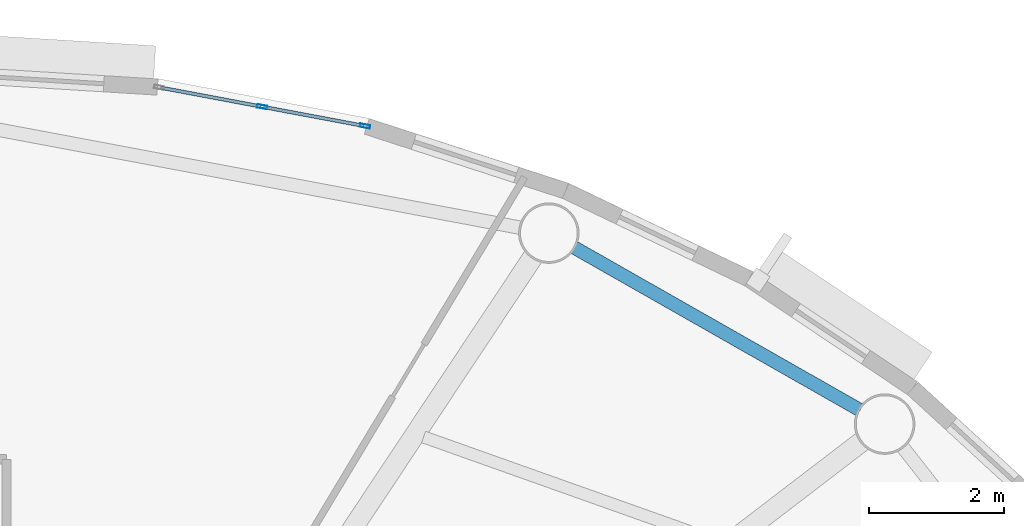
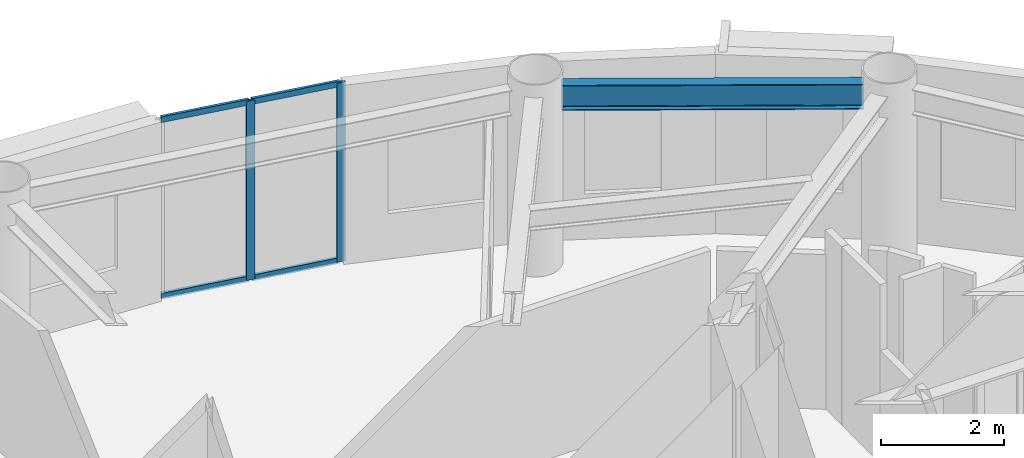
# One storey, part 3 of 19: 6 members, 1 beam, 1 element without a shape of its own.
"""IFC4 building model written with IfcOpenShell, lengths in metres."""

from ifc_helpers import new_model, si_unit, direction, frame, origin, origin_2d, place, context, subcontext, project, spatial, hollow_rectangle, i_section, extrude, source, transform, mapped, material, layer, layer_set, material_profile, profile_set, type_object, element, aggregate, save


model = new_model("IFC4")

# Units and contexts
model_context = context("Model", 3, precision=1e-05, world=origin(), true_north=direction((0.0, 1.0)))
body_context = subcontext(model_context, "Body", "Model", "MODEL_VIEW")
ifc_project = project(units=[si_unit("LENGTHUNIT", "METRE"), si_unit("AREAUNIT", "SQUARE_METRE"), si_unit("VOLUMEUNIT", "CUBIC_METRE"), si_unit("PLANEANGLEUNIT", "RADIAN"), si_unit("MASSUNIT", "GRAM", prefix="KILO")], contexts=[model_context])

# Site, building, storey
site_placement = place(None, origin())
site = spatial("IfcSite", under=ifc_project, at=site_placement, CompositionType="ELEMENT")
building_placement = place(site_placement, origin())
building = spatial("IfcBuilding", under=site, at=building_placement, Name="Linh Dai School and Residence Tower", CompositionType="ELEMENT")
storey_placement = place(building_placement, frame((0.0, 0.0, 339.199951171875)))
storey = spatial("IfcBuildingStorey", under=building, at=storey_placement, Name="L84", CompositionType="ELEMENT", Elevation=339.199951171875)

# Beam
ifc_material_1 = material(Name="Structural Steel S355JR", Category="steel")
ifc_material_profile_1 = material_profile(ifc_material_1, i_section(OverallWidth=0.199951171875, OverallDepth=0.5, WebThickness=0.01025390625, FlangeThickness=0.01611328125, FilletRadius=0.02099609375, at=origin_2d()), Name="IPE 500")
ifc_profile_set_1 = profile_set([ifc_material_profile_1], Name="Structural Steel S355JR")
beam_type = type_object("IfcBeamType", Name="BM-RB50", PredefinedType="BEAM", material=ifc_profile_set_1)
beam_placement = place(storey_placement, frame((49.637451171875, 37.930419921875, 3.300048828125), z_axis=(-0.86923725405, 0.494395182189, 0.0), x_axis=(-0.494395182189, -0.86923725405, 0.0)))
element("IfcBeam", 1, at=beam_placement, inside=storey, type_object=beam_type, Name="L84 Perimeter Elliptical Ring Beam 03", PredefinedType="BEAM", context=body_context, shape_type="SweptSolid", body=[
    extrude(i_section(OverallWidth=0.199951171875, OverallDepth=0.5, WebThickness=0.01025390625, FlangeThickness=0.01611328125, FilletRadius=0.02099609375, at=origin_2d()), origin(), (0.0, 0.0, 1.0), 4.903076171875),
])

# Curtain wall, members
ifc_material_2 = material(Name="Aluminium Anodised Curtain Wall", Category="aluminium")
ifc_layer = layer(ifc_material_2, 0.14990234375)
ifc_layer_set = layer_set([ifc_layer], Name="Aluminium Anodised Curtain Wall")
curtain_wall_type = type_object("IfcCurtainWallType", Name="CW-SYS-4", PredefinedType="USERDEFINED", material=ifc_layer_set)
curtain_wall_placement = place(storey_placement, origin())
curtain_wall = element("IfcCurtainWall", 2, at=curtain_wall_placement, inside=storey, type_object=curtain_wall_type, Name="L84 CW4 Curtain Wall 09", ObjectType="RIBBON CURTAIN WALL", PredefinedType="USERDEFINED")
ifc_material_3 = material(Name="Aluminium Alloy 6063-T6", Category="aluminium")
ifc_material_profile_2 = material_profile(ifc_material_3, hollow_rectangle(XDim=0.052001953125, YDim=0.14990234375, WallThickness=0.00390625, at=origin_2d()), Name="RHS 150x52x4")
ifc_profile_set_2 = profile_set([ifc_material_profile_2], Name="Aluminium Alloy 6063-T6")
member_type_1 = type_object("IfcMemberType", Name="CW-SYS-4-MUL", PredefinedType="MULLION", material=ifc_profile_set_2)
shared_shape_1 = source(origin(), body_context, "Body", "SweptSolid", [
    extrude(hollow_rectangle(XDim=0.052001953125, YDim=0.14990234375, WallThickness=0.00390625, at=origin_2d()), origin(), (0.0, 0.0, 1.0), 3.550048828125),
])
member_1_placement = place(storey_placement, frame((40.747802734375, 42.440673828125, 0.0), z_axis=(0.0, 0.0, 1.0), x_axis=(0.184784564405, 0.982779051851, 0.0)))
member_1 = element("IfcMember", 3, at=member_1_placement, type_object=member_type_1, Name="CW4 mullion 2", PredefinedType="MULLION", context=body_context, shape_type="MappedRepresentation", body=[
    mapped(shared_shape_1, transform((0.0, 0.0, 0.0), x_axis=(1.0, 0.0, 0.0), y_axis=(0.0, 1.0, 0.0), z_axis=(0.0, 0.0, 1.0), scale=1.0)),
])
member_2_placement = place(storey_placement, frame((42.278564453125, 42.15283203125, 0.0), z_axis=(0.0, 0.0, 1.0), x_axis=(0.184784564405, 0.982779051851, 0.0)))
member_2 = element("IfcMember", 4, at=member_2_placement, type_object=member_type_1, Name="CW4 mullion 3", PredefinedType="MULLION", context=body_context, shape_type="MappedRepresentation", body=[
    mapped(shared_shape_1, transform((0.0, 0.0, 0.0), x_axis=(1.0, 0.0, 0.0), y_axis=(0.0, 1.0, 0.0), z_axis=(0.0, 0.0, 1.0), scale=1.0)),
])
ifc_material_profile_3 = material_profile(ifc_material_3, hollow_rectangle(XDim=0.052001953125, YDim=0.114990234375, WallThickness=0.00390625, at=origin_2d()), Name="RHS 115x52x4")
ifc_profile_set_3 = profile_set([ifc_material_profile_3], Name="Aluminium Alloy 6063-T6")
member_type_2 = type_object("IfcMemberType", Name="CW-SYS-4-TRN", PredefinedType="USERDEFINED", material=ifc_profile_set_3)
shared_shape_2 = source(origin(), body_context, "Body", "SweptSolid", [
    extrude(hollow_rectangle(XDim=0.052001953125, YDim=0.114990234375, WallThickness=0.00390625, at=origin_2d()), origin(), (0.0, 0.0, 1.0), 1.50537109375),
])
member_3_placement = place(storey_placement, frame((39.24267578125, 42.7236328125, 0.026123046875), z_axis=(0.982791310108, -0.184719356801, 0.0), x_axis=(0.184719356801, 0.982791310108, 0.0)))
member_3 = element("IfcMember", 5, at=member_3_placement, type_object=member_type_2, Name="CW4 transom 1.1", ObjectType="TRANSOM", PredefinedType="USERDEFINED", context=body_context, shape_type="MappedRepresentation", body=[
    mapped(shared_shape_2, transform((0.0, 0.0, 0.0), x_axis=(1.0, 0.0, 0.0), y_axis=(0.0, 1.0, 0.0), z_axis=(0.0, 0.0, 1.0), scale=1.0)),
])
member_4_placement = place(storey_placement, frame((39.24267578125, 42.7236328125, 3.524169921875), z_axis=(0.982791310108, -0.184719356801, 0.0), x_axis=(0.184719356801, 0.982791310108, 0.0)))
member_4 = element("IfcMember", 6, at=member_4_placement, type_object=member_type_2, Name="CW4 transom 1.2", ObjectType="TRANSOM", PredefinedType="USERDEFINED", context=body_context, shape_type="MappedRepresentation", body=[
    mapped(shared_shape_2, transform((0.0, 0.0, 0.0), x_axis=(1.0, 0.0, 0.0), y_axis=(0.0, 1.0, 0.0), z_axis=(0.0, 0.0, 1.0), scale=1.0)),
])
member_5_placement = place(storey_placement, frame((40.7734375, 42.435791015625, 0.026123046875), z_axis=(0.982791310108, -0.184719356801, 0.0), x_axis=(0.184719356801, 0.982791310108, 0.0)))
member_5 = element("IfcMember", 7, at=member_5_placement, type_object=member_type_2, Name="CW4 transom 2.1", ObjectType="TRANSOM", PredefinedType="USERDEFINED", context=body_context, shape_type="MappedRepresentation", body=[
    mapped(shared_shape_2, transform((0.0, 0.0, 0.0), x_axis=(1.0, 0.0, 0.0), y_axis=(0.0, 1.0, 0.0), z_axis=(0.0, 0.0, 1.0), scale=1.0)),
])
member_6_placement = place(storey_placement, frame((40.7734375, 42.435791015625, 3.524169921875), z_axis=(0.982791310108, -0.184719356801, 0.0), x_axis=(0.184719356801, 0.982791310108, 0.0)))
member_6 = element("IfcMember", 8, at=member_6_placement, type_object=member_type_2, Name="CW4 transom 2.2", ObjectType="TRANSOM", PredefinedType="USERDEFINED", context=body_context, shape_type="MappedRepresentation", body=[
    mapped(shared_shape_2, transform((0.0, 0.0, 0.0), x_axis=(1.0, 0.0, 0.0), y_axis=(0.0, 1.0, 0.0), z_axis=(0.0, 0.0, 1.0), scale=1.0)),
])
aggregate(curtain_wall, [member_1, member_2, member_3, member_4, member_5, member_6])

save(model, "model.ifc")
